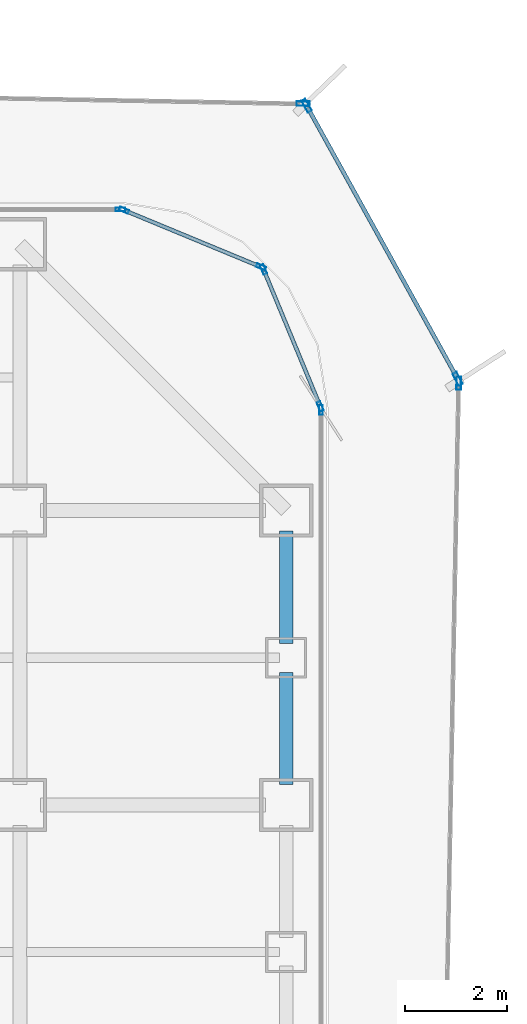
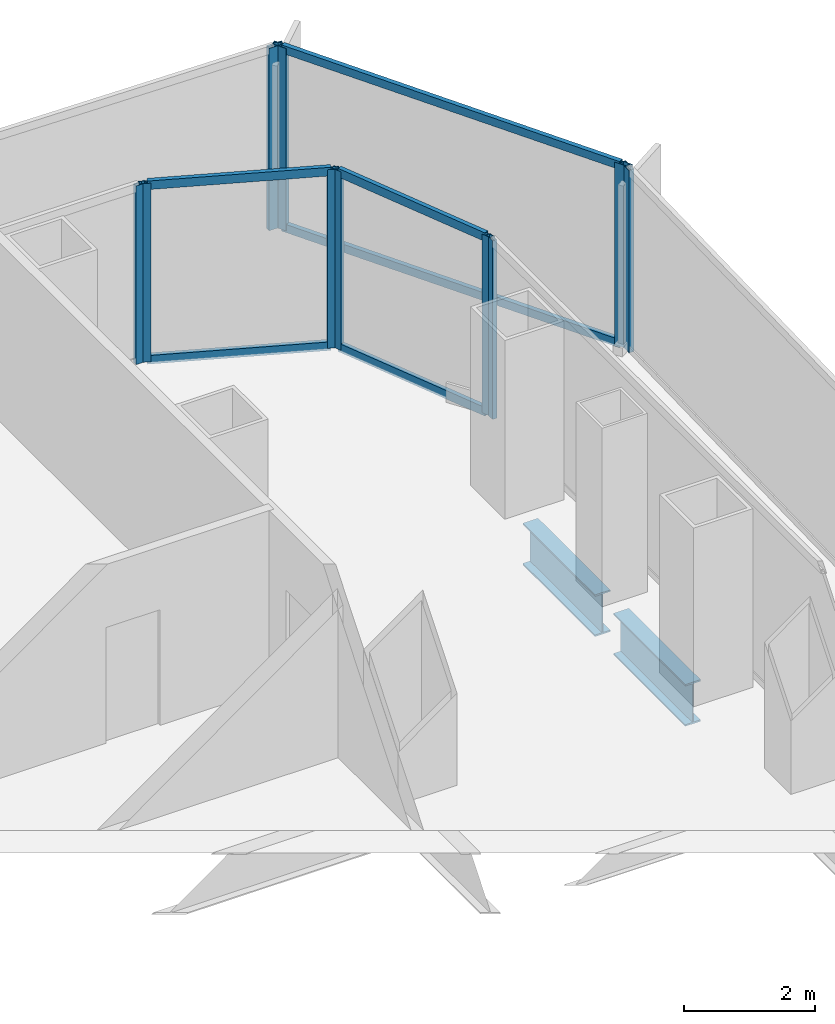
# One storey, part 15 of 22: 16 members, 2 beams, 7 elements without a shape of their own.
"""IFC4 building model written with IfcOpenShell, lengths in metres."""

from ifc_helpers import new_model, si_unit, direction, frame, origin, origin_2d, place, context, subcontext, project, spatial, hollow_rectangle, i_section, extrude, source, transform, mapped, material, layer, layer_set, material_profile, profile_set, type_object, element, aggregate, save


model = new_model("IFC4")

# Units and contexts
model_context = context("Model", 3, precision=1e-05, world=origin(), true_north=direction((0.0, 1.0)))
body_context = subcontext(model_context, "Body", "Model", "MODEL_VIEW")
ifc_project = project(units=[si_unit("LENGTHUNIT", "METRE"), si_unit("AREAUNIT", "SQUARE_METRE"), si_unit("VOLUMEUNIT", "CUBIC_METRE"), si_unit("PLANEANGLEUNIT", "RADIAN"), si_unit("MASSUNIT", "GRAM", prefix="KILO")], contexts=[model_context])

# Site, building, storey
site_placement = place(None, origin())
site = spatial("IfcSite", under=ifc_project, at=site_placement, CompositionType="ELEMENT")
building_placement = place(site_placement, origin())
building = spatial("IfcBuilding", under=site, at=building_placement, Name="Kolveth Station Tower", CompositionType="ELEMENT")
storey_placement = place(building_placement, frame((0.0, 0.0, 81.0)))
storey = spatial("IfcBuildingStorey", under=building, at=storey_placement, Name="L21", CompositionType="ELEMENT", Elevation=81.0)

# Beams
ifc_material_1 = material(Name="Steel S355", Category="steel")
ifc_material_profile_1 = material_profile(ifc_material_1, i_section(OverallWidth=0.26904296875, OverallDepth=0.77490234375, WebThickness=0.01708984375, FlangeThickness=0.0283203125, at=origin_2d()), Name="W760x220")
ifc_profile_set_1 = profile_set([ifc_material_profile_1], Name="Steel S355")
beam_type = type_object("IfcBeamType", Name="Beam_SP1", PredefinedType="SPANDREL", material=ifc_profile_set_1)
shared_shape_1 = source(origin(), body_context, "Body", "SweptSolid", [
    extrude(i_section(OverallWidth=0.26904296875, OverallDepth=0.77490234375, WebThickness=0.01708984375, FlangeThickness=0.0283203125, at=origin_2d()), origin(), (0.0, 0.0, 1.0), 2.2001953125),
])
beam_1_placement = place(storey_placement, frame((46.199951171875, 31.89990234375, -0.66748046875), z_axis=(0.0, 1.0, 0.0), x_axis=(-1.0, 0.0, 0.0)))
element("IfcBeam", 1, at=beam_1_placement, inside=storey, type_object=beam_type, Name="L21 Perimeter Spandrel BM-L21-PE-10", PredefinedType="SPANDREL", context=body_context, shape_type="MappedRepresentation", body=[
    mapped(shared_shape_1, transform((0.0, 0.0, 0.0), x_axis=(1.0, 0.0, 0.0), y_axis=(0.0, 1.0, 0.0), z_axis=(0.0, 0.0, 1.0), scale=1.0)),
])
shared_shape_2 = source(origin(), body_context, "Body", "SweptSolid", [
    extrude(i_section(OverallWidth=0.26904296875, OverallDepth=0.77490234375, WebThickness=0.01708984375, FlangeThickness=0.0283203125, at=origin_2d()), origin(), (0.0, 0.0, 1.0), 2.190185546875),
])
beam_2_placement = place(storey_placement, frame((46.199951171875, 29.14990234375, -0.66748046875), z_axis=(0.0, 1.0, 0.0), x_axis=(-1.0, 0.0, 0.0)))
element("IfcBeam", 2, at=beam_2_placement, inside=storey, type_object=beam_type, Name="L21 Perimeter Spandrel BM-L21-PE-9", PredefinedType="SPANDREL", context=body_context, shape_type="MappedRepresentation", body=[
    mapped(shared_shape_2, transform((0.0, 0.0, 0.0), x_axis=(1.0, 0.0, 0.0), y_axis=(0.0, 1.0, 0.0), z_axis=(0.0, 0.0, 1.0), scale=1.0)),
])

# Curtain wall, member
ifc_material_2 = material(Name="Aluminium 6063-T6 and low-E dark glass", Category="aluminium")
ifc_layer_1 = layer(ifc_material_2, 0.179931640625)
ifc_layer_set_1 = layer_set([ifc_layer_1], Name="Aluminium 6063-T6 and low-E dark glass")
curtain_wall_type_1 = type_object("IfcCurtainWallType", Name="CurtainWall_CW-Z1", PredefinedType="NOTDEFINED", material=ifc_layer_set_1)
curtain_wall_1_placement = place(storey_placement, origin())
curtain_wall_1 = element("IfcCurtainWall", 3, at=curtain_wall_1_placement, inside=storey, type_object=curtain_wall_type_1, Name="L21 Inner Thermal Curtain Wall 3", PredefinedType="NOTDEFINED")
ifc_material_3 = material(Name="Black anodized aluminium 6063-T6", Category="aluminium")
ifc_material_profile_2 = material_profile(ifc_material_3, hollow_rectangle(XDim=0.074951171875, YDim=0.18994140625, WallThickness=0.0048828125, at=origin_2d()), Name="ALU-75x190x5")
ifc_profile_set_2 = profile_set([ifc_material_profile_2], Name="Black anodized aluminium 6063-T6")
member_type_1 = type_object("IfcMemberType", Name="Mullion_ML1", PredefinedType="MULLION", material=ifc_profile_set_2)
shared_shape_3 = source(origin(), body_context, "Body", "SweptSolid", [
    extrude(hollow_rectangle(XDim=0.074951171875, YDim=0.18994140625, WallThickness=0.0048828125, at=origin_2d()), origin(), (0.0, 0.0, 1.0), 3.320068359375),
])
member_1_placement = place(storey_placement, frame((46.8798828125, 36.46240234375, 0.0), z_axis=(0.0, 0.0, 1.0), x_axis=(-1.0, 0.0, 0.0)))
member_1 = element("IfcMember", 4, at=member_1_placement, type_object=member_type_1, Name="CW-Z1 mullion 2", PredefinedType="MULLION", context=body_context, shape_type="MappedRepresentation", body=[
    mapped(shared_shape_3, transform((0.0, 0.0, 0.0), x_axis=(1.0, 0.0, 0.0), y_axis=(0.0, 1.0, 0.0), z_axis=(0.0, 0.0, 1.0), scale=1.0)),
])
aggregate(curtain_wall_1, [member_1])

# Curtain wall, members
curtain_wall_2_placement = place(storey_placement, origin())
curtain_wall_2 = element("IfcCurtainWall", 5, at=curtain_wall_2_placement, inside=storey, type_object=curtain_wall_type_1, Name="L21 Inner Thermal Curtain Wall 4", PredefinedType="NOTDEFINED")
member_2_placement = place(storey_placement, frame((46.86572265625, 36.53466796875, 0.0), z_axis=(0.0, 0.0, 1.0), x_axis=(-0.923883857728, -0.382672990201, 0.0)))
member_2 = element("IfcMember", 6, at=member_2_placement, type_object=member_type_1, Name="CW-Z1 mullion 1", PredefinedType="MULLION", context=body_context, shape_type="MappedRepresentation", body=[
    mapped(shared_shape_3, transform((0.0, 0.0, 0.0), x_axis=(1.0, 0.0, 0.0), y_axis=(0.0, 1.0, 0.0), z_axis=(0.0, 0.0, 1.0), scale=1.0)),
])
member_3_placement = place(storey_placement, frame((45.758056640625, 39.208984375, 0.0), z_axis=(0.0, 0.0, 1.0), x_axis=(-0.923883857728, -0.382672990201, 0.0)))
member_3 = element("IfcMember", 7, at=member_3_placement, type_object=member_type_1, Name="CW-Z1 mullion 2", PredefinedType="MULLION", context=body_context, shape_type="MappedRepresentation", body=[
    mapped(shared_shape_3, transform((0.0, 0.0, 0.0), x_axis=(1.0, 0.0, 0.0), y_axis=(0.0, 1.0, 0.0), z_axis=(0.0, 0.0, 1.0), scale=1.0)),
])

curtain_wall_3_placement = place(storey_placement, origin())
curtain_wall_3 = element("IfcCurtainWall", 8, at=curtain_wall_3_placement, inside=storey, type_object=curtain_wall_type_1, Name="L21 Inner Thermal Curtain Wall 5", PredefinedType="NOTDEFINED")
member_4_placement = place(storey_placement, frame((45.708984375, 39.258056640625, 0.0), z_axis=(0.0, 0.0, 1.0), x_axis=(-0.382672990201, -0.923883857728, 0.0)))
member_4 = element("IfcMember", 9, at=member_4_placement, type_object=member_type_1, Name="CW-Z1 mullion 1", PredefinedType="MULLION", context=body_context, shape_type="MappedRepresentation", body=[
    mapped(shared_shape_3, transform((0.0, 0.0, 0.0), x_axis=(1.0, 0.0, 0.0), y_axis=(0.0, 1.0, 0.0), z_axis=(0.0, 0.0, 1.0), scale=1.0)),
])
member_5_placement = place(storey_placement, frame((43.03466796875, 40.36572265625, 0.0), z_axis=(0.0, 0.0, 1.0), x_axis=(-0.382672990201, -0.923883857728, 0.0)))
member_5 = element("IfcMember", 10, at=member_5_placement, type_object=member_type_1, Name="CW-Z1 mullion 2", PredefinedType="MULLION", context=body_context, shape_type="MappedRepresentation", body=[
    mapped(shared_shape_3, transform((0.0, 0.0, 0.0), x_axis=(1.0, 0.0, 0.0), y_axis=(0.0, 1.0, 0.0), z_axis=(0.0, 0.0, 1.0), scale=1.0)),
])

# Curtain wall, member
curtain_wall_4_placement = place(storey_placement, origin())
curtain_wall_4 = element("IfcCurtainWall", 11, at=curtain_wall_4_placement, inside=storey, type_object=curtain_wall_type_1, Name="L21 Inner Thermal Curtain Wall 6", PredefinedType="NOTDEFINED")
member_6_placement = place(storey_placement, frame((42.96240234375, 40.3798828125, 0.0), z_axis=(0.0, 0.0, 1.0), x_axis=(0.0, -1.0, 0.0)))
member_6 = element("IfcMember", 12, at=member_6_placement, type_object=member_type_1, Name="CW-Z1 mullion 1", PredefinedType="MULLION", context=body_context, shape_type="MappedRepresentation", body=[
    mapped(shared_shape_3, transform((0.0, 0.0, 0.0), x_axis=(1.0, 0.0, 0.0), y_axis=(0.0, 1.0, 0.0), z_axis=(0.0, 0.0, 1.0), scale=1.0)),
])
aggregate(curtain_wall_4, [member_6])

# Member
ifc_material_profile_3 = material_profile(ifc_material_3, hollow_rectangle(XDim=0.074951171875, YDim=0.159912109375, WallThickness=0.0048828125, at=origin_2d()), Name="ALU-75x160x5")
ifc_profile_set_3 = profile_set([ifc_material_profile_3], Name="Black anodized aluminium 6063-T6")
member_type_2 = type_object("IfcMemberType", Name="Transom_TR1", PredefinedType="USERDEFINED", material=ifc_profile_set_3)
shared_shape_4 = source(origin(), body_context, "Body", "SweptSolid", [
    extrude(hollow_rectangle(XDim=0.074951171875, YDim=0.159912109375, WallThickness=0.0048828125, at=origin_2d()), origin(), (0.0, 0.0, 1.0), 2.819580078125),
])
member_7_placement = place(storey_placement, frame((46.851318359375, 36.5693359375, 0.03759765625), z_axis=(-0.382708655389, 0.923869084389, 0.0), x_axis=(-0.923869084389, -0.382708655389, 0.0)))
member_7 = element("IfcMember", 13, at=member_7_placement, type_object=member_type_2, Name="CW-Z1 transom 1.1", ObjectType="TRANSOM", PredefinedType="USERDEFINED", context=body_context, shape_type="MappedRepresentation", body=[
    mapped(shared_shape_4, transform((0.0, 0.0, 0.0), x_axis=(1.0, 0.0, 0.0), y_axis=(0.0, 1.0, 0.0), z_axis=(0.0, 0.0, 1.0), scale=1.0)),
])

member_8_placement = place(storey_placement, frame((46.851318359375, 36.5693359375, 3.282470703125), z_axis=(-0.382708655389, 0.923869084389, 0.0), x_axis=(-0.923869084389, -0.382708655389, 0.0)))
member_8 = element("IfcMember", 14, at=member_8_placement, type_object=member_type_2, Name="CW-Z1 transom 1.2", ObjectType="TRANSOM", PredefinedType="USERDEFINED", context=body_context, shape_type="MappedRepresentation", body=[
    mapped(shared_shape_4, transform((0.0, 0.0, 0.0), x_axis=(1.0, 0.0, 0.0), y_axis=(0.0, 1.0, 0.0), z_axis=(0.0, 0.0, 1.0), scale=1.0)),
])

aggregate(curtain_wall_2, [member_2, member_3, member_7, member_8])

member_9_placement = place(storey_placement, frame((45.67431640625, 39.272216796875, 0.03759765625), z_axis=(-0.923869084389, 0.382708655389, 0.0), x_axis=(-0.382708655389, -0.923869084389, 0.0)))
member_9 = element("IfcMember", 15, at=member_9_placement, type_object=member_type_2, Name="CW-Z1 transom 1.1", ObjectType="TRANSOM", PredefinedType="USERDEFINED", context=body_context, shape_type="MappedRepresentation", body=[
    mapped(shared_shape_4, transform((0.0, 0.0, 0.0), x_axis=(1.0, 0.0, 0.0), y_axis=(0.0, 1.0, 0.0), z_axis=(0.0, 0.0, 1.0), scale=1.0)),
])

member_10_placement = place(storey_placement, frame((45.67431640625, 39.272216796875, 3.282470703125), z_axis=(-0.923869084389, 0.382708655389, 0.0), x_axis=(-0.382708655389, -0.923869084389, 0.0)))
member_10 = element("IfcMember", 16, at=member_10_placement, type_object=member_type_2, Name="CW-Z1 transom 1.2", ObjectType="TRANSOM", PredefinedType="USERDEFINED", context=body_context, shape_type="MappedRepresentation", body=[
    mapped(shared_shape_4, transform((0.0, 0.0, 0.0), x_axis=(1.0, 0.0, 0.0), y_axis=(0.0, 1.0, 0.0), z_axis=(0.0, 0.0, 1.0), scale=1.0)),
])

aggregate(curtain_wall_3, [member_4, member_5, member_9, member_10])

# Curtain wall, member
ifc_material_4 = material(Name="Black anodized aluminium 6063-T6 and dark solar glass", Category="aluminium")
ifc_layer_2 = layer(ifc_material_4, 0.159912109375)
ifc_layer_set_2 = layer_set([ifc_layer_2], Name="Black anodized aluminium 6063-T6 and dark solar glass")
curtain_wall_type_2 = type_object("IfcCurtainWallType", Name="OUTER SKIN CW-OS", PredefinedType="NOTDEFINED", material=ifc_layer_set_2)
curtain_wall_5_placement = place(storey_placement, origin())
curtain_wall_5 = element("IfcCurtainWall", 17, at=curtain_wall_5_placement, inside=storey, type_object=curtain_wall_type_2, Name="L21 Outer Ventilated Skin Curtain Wall 2", PredefinedType="NOTDEFINED")
ifc_material_profile_4 = material_profile(ifc_material_3, hollow_rectangle(XDim=0.090087890625, YDim=0.260009765625, WallThickness=0.0048828125, at=origin_2d()), Name="ALU-90x260x5")
ifc_profile_set_4 = profile_set([ifc_material_profile_4], Name="Black anodized aluminium 6063-T6")
member_type_3 = type_object("IfcMemberType", Name="FIN MULLION ML-OS", PredefinedType="MULLION", material=ifc_profile_set_4)
shared_shape_5 = source(origin(), body_context, "Body", "SweptSolid", [
    extrude(hollow_rectangle(XDim=0.090087890625, YDim=0.260009765625, WallThickness=0.0048828125, at=origin_2d()), origin(), (0.0, 0.0, 1.0), 3.389892578125),
])
member_11_placement = place(storey_placement, frame((49.572021484375, 36.987548828125, 0.0), z_axis=(0.0, 0.0, 1.0), x_axis=(-0.999819843117, 0.018981077673, 0.0)))
member_11 = element("IfcMember", 18, at=member_11_placement, type_object=member_type_3, Name="CW-OS mullion 2", PredefinedType="MULLION", context=body_context, shape_type="MappedRepresentation", body=[
    mapped(shared_shape_5, transform((0.0, 0.0, 0.0), x_axis=(1.0, 0.0, 0.0), y_axis=(0.0, 1.0, 0.0), z_axis=(0.0, 0.0, 1.0), scale=1.0)),
])
aggregate(curtain_wall_5, [member_11])

# Curtain wall, members
curtain_wall_6_placement = place(storey_placement, origin())
curtain_wall_6 = element("IfcCurtainWall", 19, at=curtain_wall_6_placement, inside=storey, type_object=curtain_wall_type_2, Name="L21 Outer Ventilated Skin Curtain Wall 3", PredefinedType="NOTDEFINED")
member_12_placement = place(storey_placement, frame((49.551025390625, 37.07177734375, 0.0), z_axis=(0.0, 0.0, 1.0), x_axis=(-0.875077293489, -0.483983192291, 0.0)))
member_12 = element("IfcMember", 20, at=member_12_placement, type_object=member_type_3, Name="CW-OS mullion 1", PredefinedType="MULLION", context=body_context, shape_type="MappedRepresentation", body=[
    mapped(shared_shape_5, transform((0.0, 0.0, 0.0), x_axis=(1.0, 0.0, 0.0), y_axis=(0.0, 1.0, 0.0), z_axis=(0.0, 0.0, 1.0), scale=1.0)),
])
member_13_placement = place(storey_placement, frame((46.599853515625, 42.408203125, 0.0), z_axis=(0.0, 0.0, 1.0), x_axis=(-0.875077293489, -0.483983192291, 0.0)))
member_13 = element("IfcMember", 21, at=member_13_placement, type_object=member_type_3, Name="CW-OS mullion 2", PredefinedType="MULLION", context=body_context, shape_type="MappedRepresentation", body=[
    mapped(shared_shape_5, transform((0.0, 0.0, 0.0), x_axis=(1.0, 0.0, 0.0), y_axis=(0.0, 1.0, 0.0), z_axis=(0.0, 0.0, 1.0), scale=1.0)),
])

# Curtain wall, member
curtain_wall_7_placement = place(storey_placement, origin())
curtain_wall_7 = element("IfcCurtainWall", 22, at=curtain_wall_7_placement, inside=storey, type_object=curtain_wall_type_2, Name="L21 Outer Ventilated Skin Curtain Wall 4", PredefinedType="NOTDEFINED")
member_14_placement = place(storey_placement, frame((46.532958984375, 42.4482421875, 0.0), z_axis=(0.0, 0.0, 1.0), x_axis=(-0.018428993144, -0.999830171685, 0.0)))
member_14 = element("IfcMember", 23, at=member_14_placement, type_object=member_type_3, Name="CW-OS mullion 1", PredefinedType="MULLION", context=body_context, shape_type="MappedRepresentation", body=[
    mapped(shared_shape_5, transform((0.0, 0.0, 0.0), x_axis=(1.0, 0.0, 0.0), y_axis=(0.0, 1.0, 0.0), z_axis=(0.0, 0.0, 1.0), scale=1.0)),
])
aggregate(curtain_wall_7, [member_14])

# Member
ifc_material_profile_5 = material_profile(ifc_material_3, hollow_rectangle(XDim=0.080078125, YDim=0.14990234375, WallThickness=0.0048828125, at=origin_2d()), Name="ALU-80x150x5")
ifc_profile_set_5 = profile_set([ifc_material_profile_5], Name="Black anodized aluminium 6063-T6")
member_type_4 = type_object("IfcMemberType", Name="Transom_TR-OS", PredefinedType="USERDEFINED", material=ifc_profile_set_5)
shared_shape_6 = source(origin(), body_context, "Body", "SweptSolid", [
    extrude(hollow_rectangle(XDim=0.080078125, YDim=0.14990234375, WallThickness=0.0048828125, at=origin_2d()), origin(), (0.0, 0.0, 1.0), 6.0078125),
])
member_15_placement = place(storey_placement, frame((49.529296875, 37.111328125, 0.0400390625), z_axis=(-0.483985912758, 0.875075788861, 0.0), x_axis=(-0.875075788861, -0.483985912758, 0.0)))
member_15 = element("IfcMember", 24, at=member_15_placement, type_object=member_type_4, Name="CW-OS transom 1.1", ObjectType="TRANSOM", PredefinedType="USERDEFINED", context=body_context, shape_type="MappedRepresentation", body=[
    mapped(shared_shape_6, transform((0.0, 0.0, 0.0), x_axis=(1.0, 0.0, 0.0), y_axis=(0.0, 1.0, 0.0), z_axis=(0.0, 0.0, 1.0), scale=1.0)),
])

member_16_placement = place(storey_placement, frame((49.529296875, 37.111328125, 3.35009765625), z_axis=(-0.483985912758, 0.875075788861, 0.0), x_axis=(-0.875075788861, -0.483985912758, 0.0)))
member_16 = element("IfcMember", 25, at=member_16_placement, type_object=member_type_4, Name="CW-OS transom 1.2", ObjectType="TRANSOM", PredefinedType="USERDEFINED", context=body_context, shape_type="MappedRepresentation", body=[
    mapped(shared_shape_6, transform((0.0, 0.0, 0.0), x_axis=(1.0, 0.0, 0.0), y_axis=(0.0, 1.0, 0.0), z_axis=(0.0, 0.0, 1.0), scale=1.0)),
])

aggregate(curtain_wall_6, [member_12, member_13, member_15, member_16])

save(model, "model.ifc")
